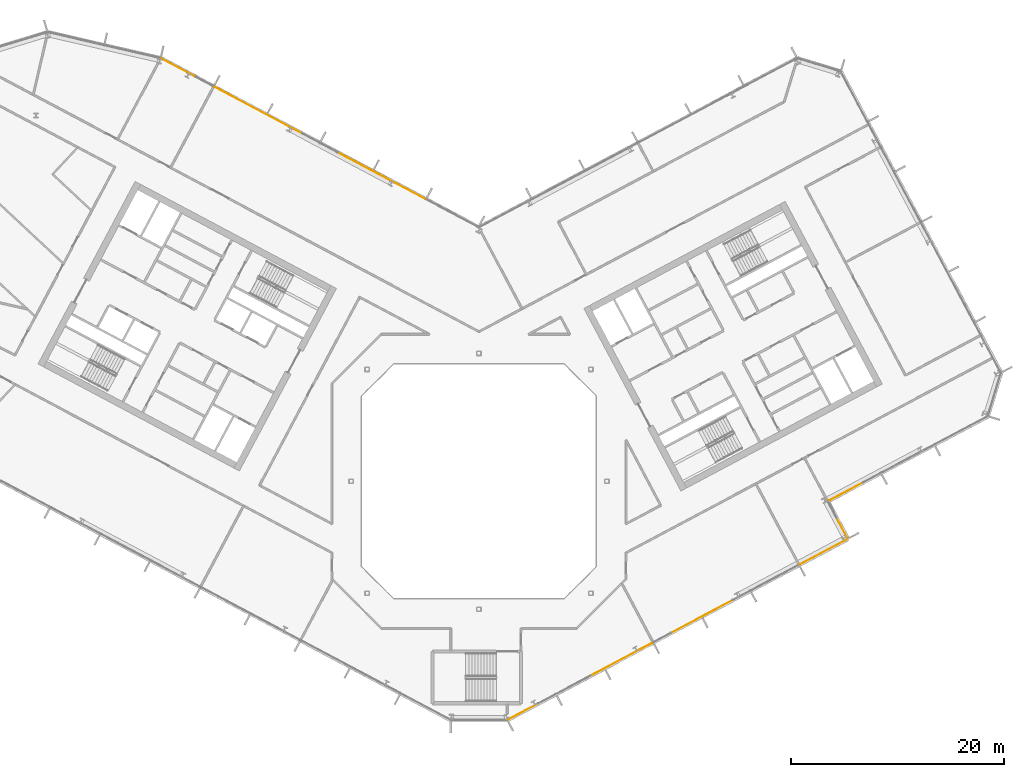
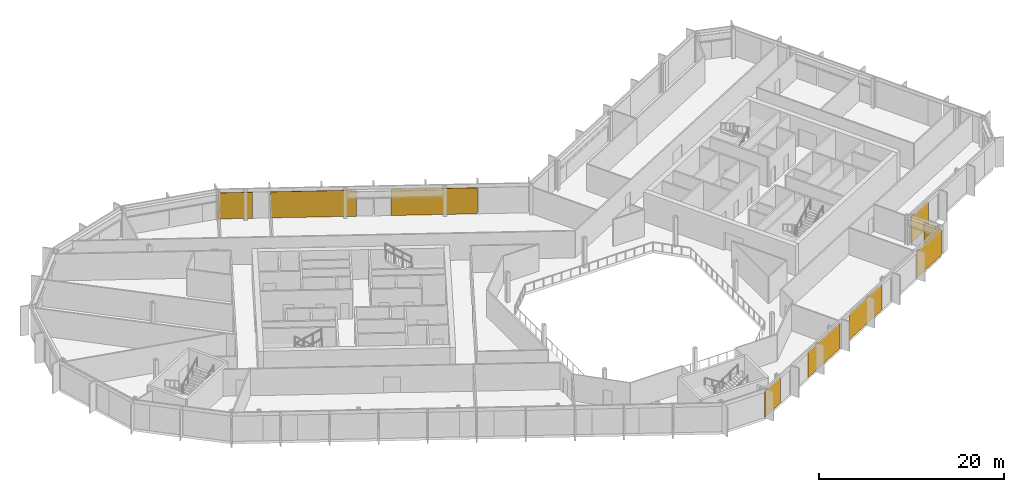
# One storey, part 23 of 26: 9 coverings, 4 elements without a shape of their own.
"""IFC4 building model written with IfcOpenShell, lengths in metres."""

from ifc_helpers import new_model, si_unit, direction, frame, origin, origin_2d, place, context, subcontext, project, spatial, rectangle, extrude, material, layer, layer_set, type_object, element, aggregate, save


model = new_model("IFC4")

# Units and contexts
model_context = context("Model", 3, precision=1e-05, world=origin(), true_north=direction((0.0, 1.0)))
body_context = subcontext(model_context, "Body", "Model", "MODEL_VIEW")
ifc_project = project(units=[si_unit("LENGTHUNIT", "METRE"), si_unit("AREAUNIT", "SQUARE_METRE"), si_unit("VOLUMEUNIT", "CUBIC_METRE"), si_unit("PLANEANGLEUNIT", "RADIAN"), si_unit("MASSUNIT", "GRAM", prefix="KILO")], contexts=[model_context])

# Site, building, storey
site_placement = place(None, origin())
site = spatial("IfcSite", under=ifc_project, at=site_placement, CompositionType="ELEMENT")
building_placement = place(site_placement, origin())
building = spatial("IfcBuilding", under=site, at=building_placement, Name="Cormorant Relay Tower", CompositionType="ELEMENT")
storey_placement = place(building_placement, frame((0.0, 0.0, 193.5)))
storey = spatial("IfcBuildingStorey", under=building, at=storey_placement, Name="L41", CompositionType="ELEMENT", Elevation=193.5)

# Curtain wall, coverings
ifc_material_1 = material(Name="Aluminium 6063-T6 anodised bronze", Category="aluminium")
ifc_layer_1 = layer(ifc_material_1, 0.199951171875)
ifc_layer_set_1 = layer_set([ifc_layer_1], Name="CW1 unitised bronze curtain wall with vertical fins")
curtain_wall_type = type_object("IfcCurtainWallType", Name="CW1 unitised bronze curtain wall with vertical fins", PredefinedType="NOTDEFINED", material=ifc_layer_set_1)
curtain_wall_1_placement = place(storey_placement, origin())
curtain_wall_1 = element("IfcCurtainWall", 1, at=curtain_wall_1_placement, inside=storey, type_object=curtain_wall_type, Name="CW1 curtain wall 2", PredefinedType="NOTDEFINED")
ifc_material_2 = material(Name="Pale bronze anodised aluminium insulated panel", Category="aluminium")
ifc_layer_2 = layer(ifc_material_2, 0.0400390625)
ifc_layer_set_2 = layer_set([ifc_layer_2], Name="CW1 pale bronze insulated panel 40")
covering_type = type_object("IfcCoveringType", Name="CW1 pale bronze insulated panel 40", PredefinedType="CLADDING", material=ifc_layer_set_2)
covering_1_placement = place(storey_placement, frame((4.14453125, -21.60302734375, 0.0), z_axis=(0.0, 0.0, 1.0), x_axis=(0.882947592859, 0.469471562786, 0.0)))
covering_1 = element("IfcCovering", 2, at=covering_1_placement, type_object=covering_type, Name="CW1 panel S00", PredefinedType="CLADDING", context=body_context, shape_type="SweptSolid", body=[
    extrude(rectangle(XDim=3.216552734375, YDim=0.0400390625, at=origin_2d()), origin(), (0.0, 0.0, 1.0), 3.449951171875),
])
covering_2_placement = place(storey_placement, frame((13.37109375, -16.697021484375, 0.0), z_axis=(0.0, 0.0, 1.0), x_axis=(0.882947592859, 0.469471562786, 0.0)))
covering_2 = element("IfcCovering", 3, at=covering_2_placement, type_object=covering_type, Name="CW1 panel S03", PredefinedType="CLADDING", context=body_context, shape_type="SweptSolid", body=[
    extrude(rectangle(XDim=6.5830078125, YDim=0.0400390625, at=origin_2d()), origin(), (0.0, 0.0, 1.0), 3.449951171875),
])
covering_3_placement = place(storey_placement, frame((20.905517578125, -12.69091796875, 0.0), z_axis=(0.0, 0.0, 1.0), x_axis=(0.882947592859, 0.469471562786, 0.0)))
covering_3 = element("IfcCovering", 4, at=covering_3_placement, type_object=covering_type, Name="CW1 panel S05", PredefinedType="CLADDING", context=body_context, shape_type="SweptSolid", body=[
    extrude(rectangle(XDim=6.5830078125, YDim=0.0400390625, at=origin_2d()), origin(), (0.0, 0.0, 1.0), 3.449951171875),
])
covering_4_placement = place(storey_placement, frame((32.343017578125, -6.609619140625, 0.0), z_axis=(0.0, 0.0, 1.0), x_axis=(0.882947592859, 0.469471562786, 0.0)))
covering_4 = element("IfcCovering", 5, at=covering_4_placement, type_object=covering_type, Name="CW1 panel S08", PredefinedType="CLADDING", context=body_context, shape_type="SweptSolid", body=[
    extrude(rectangle(XDim=5.091552734375, YDim=0.0400390625, at=origin_2d()), origin(), (0.0, 0.0, 1.0), 3.449951171875),
])
aggregate(curtain_wall_1, [covering_1, covering_2, covering_3, covering_4])

# Curtain wall, covering
curtain_wall_2_placement = place(storey_placement, origin())
curtain_wall_2 = element("IfcCurtainWall", 6, at=curtain_wall_2_placement, inside=storey, type_object=curtain_wall_type, Name="CW1 curtain wall 3", PredefinedType="NOTDEFINED")
covering_5_placement = place(storey_placement, frame((34.065185546875, -4.383056640625, 0.0), z_axis=(0.0, 0.0, 1.0), x_axis=(-0.469471562786, 0.882947592859, 0.0)))
covering_5 = element("IfcCovering", 7, at=covering_5_placement, type_object=covering_type, Name="CW1 panel S00", PredefinedType="CLADDING", context=body_context, shape_type="SweptSolid", body=[
    extrude(rectangle(XDim=2.125, YDim=0.0400390625, at=origin_2d()), origin(), (0.0, 0.0, 1.0), 3.449951171875),
])
aggregate(curtain_wall_2, [covering_5])

curtain_wall_3_placement = place(storey_placement, origin())
curtain_wall_3 = element("IfcCurtainWall", 8, at=curtain_wall_3_placement, inside=storey, type_object=curtain_wall_type, Name="CW1 curtain wall 4", PredefinedType="NOTDEFINED")
covering_6_placement = place(storey_placement, frame((34.453125, -0.957275390625, 0.0), z_axis=(0.0, 0.0, 1.0), x_axis=(0.882947592859, 0.469471562786, 0.0)))
covering_6 = element("IfcCovering", 9, at=covering_6_placement, type_object=covering_type, Name="CW1 panel S00", PredefinedType="CLADDING", context=body_context, shape_type="SweptSolid", body=[
    extrude(rectangle(XDim=3.6416015625, YDim=0.0400390625, at=origin_2d()), origin(), (0.0, 0.0, 1.0), 3.449951171875),
])
aggregate(curtain_wall_3, [covering_6])

# Curtain wall, coverings
curtain_wall_4_placement = place(storey_placement, origin())
curtain_wall_4 = element("IfcCurtainWall", 10, at=curtain_wall_4_placement, inside=storey, type_object=curtain_wall_type, Name="CW1 curtain wall 9", PredefinedType="NOTDEFINED")
covering_7_placement = place(storey_placement, frame((-9.15380859375, 28.673828125, 0.0), z_axis=(0.0, 0.0, 1.0), x_axis=(-0.882947592859, 0.469471562786, 0.0)))
covering_7 = element("IfcCovering", 11, at=covering_7_placement, type_object=covering_type, Name="CW1 panel S01", PredefinedType="CLADDING", context=body_context, shape_type="SweptSolid", body=[
    extrude(rectangle(XDim=9.327880859375, YDim=0.0400390625, at=origin_2d()), origin(), (0.0, 0.0, 1.0), 3.449951171875),
])
covering_8_placement = place(storey_placement, frame((-20.701171875, 34.813720703125, 0.0), z_axis=(0.0, 0.0, 1.0), x_axis=(-0.882947592859, 0.469471562786, 0.0)))
covering_8 = element("IfcCovering", 12, at=covering_8_placement, type_object=covering_type, Name="CW1 panel S04", PredefinedType="CLADDING", context=body_context, shape_type="SweptSolid", body=[
    extrude(rectangle(XDim=9.327880859375, YDim=0.0400390625, at=origin_2d()), origin(), (0.0, 0.0, 1.0), 3.449951171875),
])
covering_9_placement = place(storey_placement, frame((-28.20263671875, 38.80224609375, 0.0), z_axis=(0.0, 0.0, 1.0), x_axis=(-0.882947592859, 0.469471562786, 0.0)))
covering_9 = element("IfcCovering", 13, at=covering_9_placement, type_object=covering_type, Name="CW1 panel S06", PredefinedType="CLADDING", context=body_context, shape_type="SweptSolid", body=[
    extrude(rectangle(XDim=3.763916015625, YDim=0.0400390625, at=origin_2d()), origin(), (0.0, 0.0, 1.0), 3.449951171875),
])
aggregate(curtain_wall_4, [covering_7, covering_8, covering_9])

save(model, "model.ifc")
